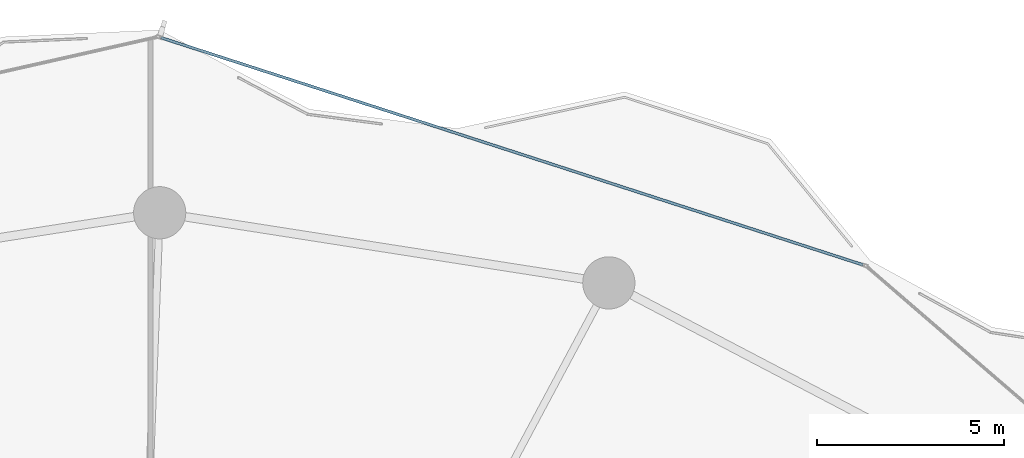
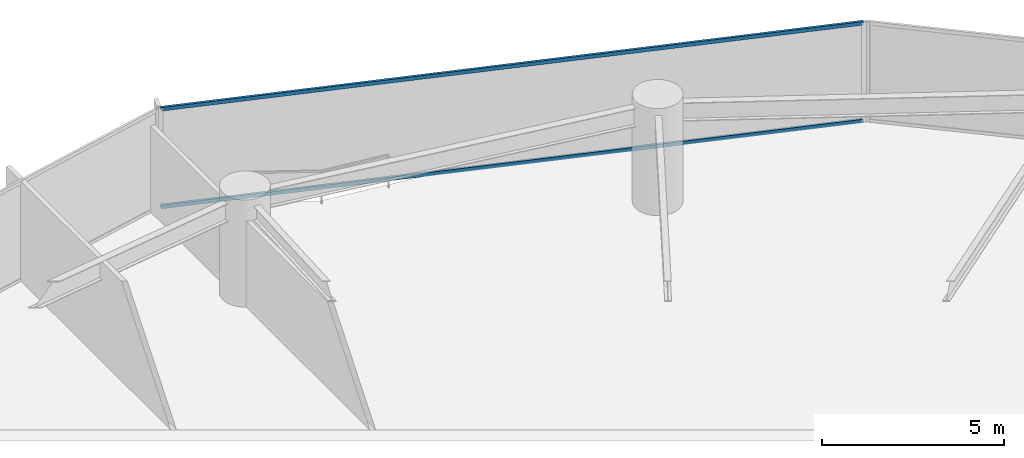
# One storey, part 22 of 33: 2 members, 1 element without a shape of its own.
"""IFC4 building model written with IfcOpenShell, lengths in metres."""

from ifc_helpers import new_model, si_unit, direction, frame, origin, origin_2d, place, context, subcontext, project, spatial, hollow_rectangle, extrude, material, layer, layer_set, material_profile, profile_set, type_object, element, aggregate, save


model = new_model("IFC4")

# Units and contexts
model_context = context("Model", 3, precision=1e-05, world=origin(), true_north=direction((0.0, 1.0)))
body_context = subcontext(model_context, "Body", "Model", "MODEL_VIEW")
ifc_project = project(units=[si_unit("LENGTHUNIT", "METRE"), si_unit("AREAUNIT", "SQUARE_METRE"), si_unit("VOLUMEUNIT", "CUBIC_METRE"), si_unit("PLANEANGLEUNIT", "RADIAN"), si_unit("MASSUNIT", "GRAM", prefix="KILO")], contexts=[model_context])

# Site, building, storey
site_placement = place(None, origin())
site = spatial("IfcSite", under=ifc_project, at=site_placement, CompositionType="ELEMENT")
building_placement = place(site_placement, origin())
building = spatial("IfcBuilding", under=site, at=building_placement, Name="Kazevale Care Tower and Concert Hall", CompositionType="ELEMENT")
storey_placement = place(building_placement, frame((0.0, 0.0, 52.800048828125)))
storey = spatial("IfcBuildingStorey", under=building, at=storey_placement, Name="L13", CompositionType="ELEMENT", Elevation=52.800048828125)

# Curtain wall, members
ifc_material_1 = material(Name="Aluminium 6063-T6 and Low-E Glass", Category="aluminium")
ifc_layer = layer(ifc_material_1, 0.179931640625)
ifc_layer_set = layer_set([ifc_layer], Name="Aluminium 6063-T6 and Low-E Glass")
curtain_wall_type = type_object("IfcCurtainWallType", Name="Convex Checkerboard Finned Curtain Wall CW-2", PredefinedType="NOTDEFINED", material=ifc_layer_set)
curtain_wall_placement = place(storey_placement, origin())
curtain_wall = element("IfcCurtainWall", 1, at=curtain_wall_placement, inside=storey, type_object=curtain_wall_type, Name="cw:L13:f16", PredefinedType="NOTDEFINED")
ifc_material_2 = material(Name="Aluminium 6063-T6", Category="aluminium")
ifc_material_profile = material_profile(ifc_material_2, hollow_rectangle(XDim=0.074951171875, YDim=0.1201171875, WallThickness=0.00390625, at=origin_2d()), Name="ALU75x120x4")
ifc_profile_set = profile_set([ifc_material_profile], Name="Aluminium 6063-T6")
member_type = type_object("IfcMemberType", Name="CW-2 Transom ALU75x120x4", PredefinedType="USERDEFINED", material=ifc_profile_set)
member_1_placement = place(storey_placement, frame((45.03515625, 67.34326171875, 0.037353515625), z_axis=(0.951413042648, -0.3079175576, 0.0), x_axis=(0.3079175576, 0.951413042648, 0.0)))
member_1 = element("IfcMember", 2, at=member_1_placement, type_object=member_type, Name="CW-2 transom 1.1", ObjectType="TRANSOM", PredefinedType="USERDEFINED", context=body_context, shape_type="SweptSolid", body=[
    extrude(hollow_rectangle(XDim=0.074951171875, YDim=0.1201171875, WallThickness=0.00390625, at=origin_2d()), origin(), (0.0, 0.0, 1.0), 19.77978515625),
])
member_2_placement = place(storey_placement, frame((45.03515625, 67.34326171875, 3.322509765625), z_axis=(0.951413042648, -0.3079175576, 0.0), x_axis=(0.3079175576, 0.951413042648, 0.0)))
member_2 = element("IfcMember", 3, at=member_2_placement, type_object=member_type, Name="CW-2 transom 1.2", ObjectType="TRANSOM", PredefinedType="USERDEFINED", context=body_context, shape_type="SweptSolid", body=[
    extrude(hollow_rectangle(XDim=0.074951171875, YDim=0.1201171875, WallThickness=0.00390625, at=origin_2d()), origin(), (0.0, 0.0, 1.0), 19.77978515625),
])
aggregate(curtain_wall, [member_1, member_2])

save(model, "model.ifc")
